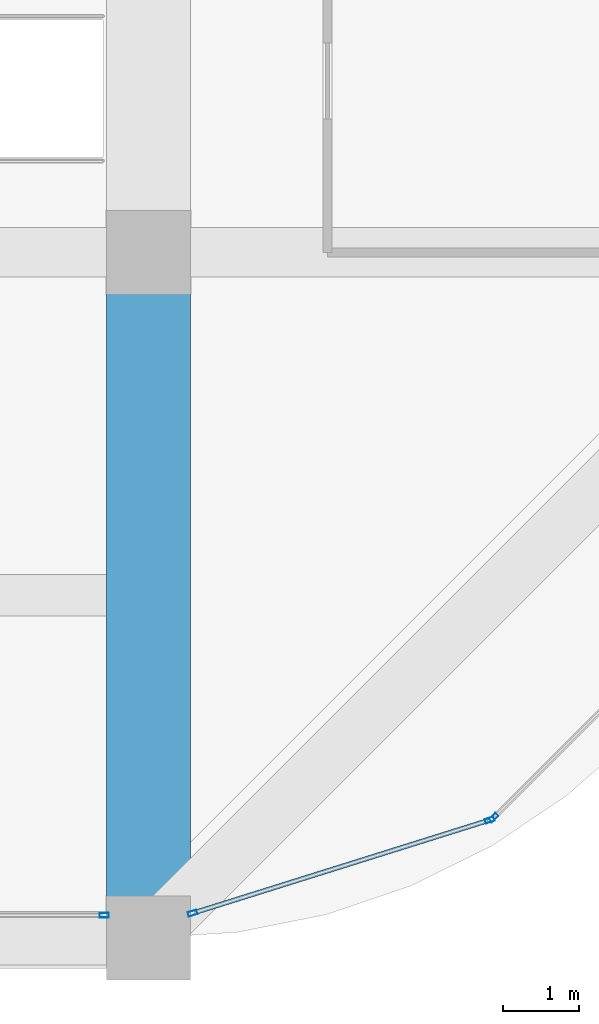
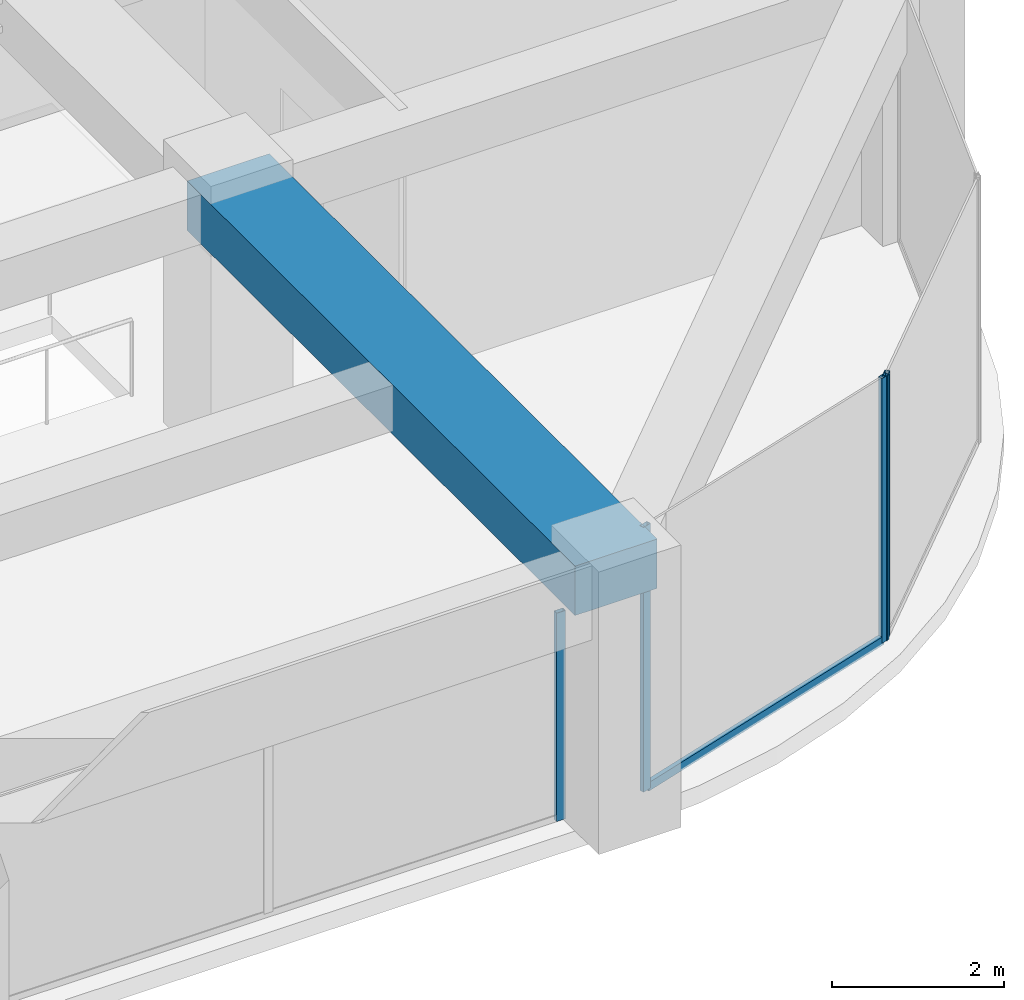
# One storey, part 18 of 44: 5 members, 1 beam, 3 elements without a shape of their own.
"""IFC4 building model written with IfcOpenShell, lengths in metres."""

import ifcopenshell
import ifcopenshell.guid

model = None  # the IFC model being written
_history = None  # IfcOwnerHistory: only IFC2X3 demands one
_inside = {}  # id of a spatial element -> (the spatial element, [elements in it])
_under = {}  # id of a project, library or spatial element -> (it, [spatial elements below it])
_declared = {}  # id of a project -> (the project, [libraries it declares])
_typed = {}  # id of a type object -> (the type object, [elements of that type])
_made_of = {}  # id of a material, layer set ... -> (it, [elements and type objects made of it])


def new_model(schema):
    """Start an empty IFC model of exactly this schema.

    Asked for "IFC4X3", IfcOpenShell would pick the latest addendum, in which some entities
    have other attributes; the version numbers below select the first issue.
    IFC2X3 requires an IfcOwnerHistory on every rooted entity: one is made here for all.
    """
    global model, _history
    if schema == "IFC4X3":
        model = ifcopenshell.file(schema_version=(4, 3, 0, 0))
    else:
        model = ifcopenshell.file(schema=schema)
    _inside.clear()
    _under.clear()
    _declared.clear()
    _typed.clear()
    _made_of.clear()
    _history = None
    if model.schema == "IFC2X3":
        org = make("IfcOrganization", Name="unknown")
        user = make(
            "IfcPersonAndOrganization",
            ThePerson=make("IfcPerson", FamilyName="unknown"),
            TheOrganization=org,
        )
        app = make(
            "IfcApplication",
            ApplicationDeveloper=org,
            Version="unknown",
            ApplicationFullName="unknown",
            ApplicationIdentifier="unknown",
        )
        _history = make(
            "IfcOwnerHistory",
            OwningUser=user,
            OwningApplication=app,
            ChangeAction="ADDED",
            CreationDate=0,
        )
    return model


def make(cls, **values):
    """One entity of the class cls with the attributes given. An attribute that is None is left unset."""
    return model.create_entity(
        cls, **{name: value for name, value in values.items() if value is not None}
    )


def rooted(cls, **values):
    """An entity with a GlobalId (a new one), such as an element, a storey or a relation."""
    return make(cls, GlobalId=ifcopenshell.guid.new(), OwnerHistory=_history, **values)


def si_unit(unit_type, name, prefix=None):
    """IfcSIUnit, for example si_unit("LENGTHUNIT", "METRE", prefix="MILLI")."""
    return make("IfcSIUnit", UnitType=unit_type, Prefix=prefix, Name=name)


def assignment(units):
    """IfcUnitAssignment: the units of a project."""
    return None if units is None else make("IfcUnitAssignment", Units=units)


def point(xyz):
    """IfcCartesianPoint."""
    return None if xyz is None else make("IfcCartesianPoint", Coordinates=xyz)


def direction(xyz):
    """IfcDirection."""
    return None if xyz is None else make("IfcDirection", DirectionRatios=xyz)


def frame(location, z_axis=None, x_axis=None):
    """IfcAxis2Placement3D, a coordinate frame: its origin and axes. An axis left out is left unset."""
    return make(
        "IfcAxis2Placement3D",
        Location=point(location),
        Axis=direction(z_axis),
        RefDirection=direction(x_axis),
    )


def frame_2d(location, x_axis=None):
    """IfcAxis2Placement2D, a coordinate frame in the plane: its origin and x axis."""
    return make(
        "IfcAxis2Placement2D", Location=point(location), RefDirection=direction(x_axis)
    )


def origin():
    """The frame at (0, 0, 0) with its axes left unset."""
    return frame((0.0, 0.0, 0.0))


def origin_2d():
    """The frame at (0, 0) in the plane with its x axis left unset."""
    return frame_2d((0.0, 0.0))


def place(relative_to, where):
    """IfcLocalPlacement: puts the frame where relative to a parent placement (None: the world)."""
    return make(
        "IfcLocalPlacement", PlacementRelTo=relative_to, RelativePlacement=where
    )


def context(
    kind, dimensions, precision=None, world=None, true_north=None, identifier=None
):
    """IfcGeometricRepresentationContext, for example the 3D "Model" context."""
    return make(
        "IfcGeometricRepresentationContext",
        ContextIdentifier=identifier,
        ContextType=kind,
        CoordinateSpaceDimension=dimensions,
        Precision=precision,
        WorldCoordinateSystem=world,
        TrueNorth=true_north,
    )


def subcontext(parent, identifier, kind, view, scale=None):
    """IfcGeometricRepresentationSubContext, for example "Body" below "Model"."""
    return make(
        "IfcGeometricRepresentationSubContext",
        ContextIdentifier=identifier,
        ContextType=kind,
        ParentContext=parent,
        TargetScale=scale,
        TargetView=view,
    )


def project(units=None, contexts=None):
    """IfcProject with its units and contexts."""
    return rooted(
        "IfcProject",
        Name="project",
        RepresentationContexts=contexts,
        UnitsInContext=assignment(units),
    )


def spatial(cls, under=None, at=None, **own):
    """A site, building, storey or space (cls), placed at a placement, below another one or the project."""
    s = rooted(cls, ObjectPlacement=at, **own)
    if under is not None:
        _under.setdefault(under.id(), (under, []))[1].append(s)
    return s


def profile(cls, at=None, kind="AREA", **sizes):
    """A parametric profile (cls). Its sizes go by their IFC names, for example OverallWidth=200.0."""
    return make(cls, ProfileType=kind, Position=at, **sizes)


def rectangle(**sizes):
    """IfcRectangleProfileDef."""
    return profile("IfcRectangleProfileDef", **sizes)


def hollow_rectangle(**sizes):
    """IfcRectangleHollowProfileDef."""
    return profile("IfcRectangleHollowProfileDef", **sizes)


def extrude(swept, where, along, depth):
    """IfcExtrudedAreaSolid: the profile swept, set in the frame where, extruded along a direction by depth."""
    return make(
        "IfcExtrudedAreaSolid",
        SweptArea=swept,
        Position=where,
        ExtrudedDirection=direction(along),
        Depth=depth,
    )


def shape(context_of_items, identifier, shape_type, items):
    """IfcShapeRepresentation: the items that make up one representation, for example the "Body"."""
    return make(
        "IfcShapeRepresentation",
        ContextOfItems=context_of_items,
        RepresentationIdentifier=identifier,
        RepresentationType=shape_type,
        Items=items,
    )


def material(Name=None, Category=None):
    """IfcMaterial."""
    return make("IfcMaterial", Name=Name, Category=Category)


def material_profile(
    of_material, cross_section, Name=None, Category=None, Priority=None
):
    """IfcMaterialProfile: a cross section and its material."""
    return make(
        "IfcMaterialProfile",
        Name=Name,
        Material=of_material,
        Profile=cross_section,
        Priority=Priority,
        Category=Category,
    )


def profile_set(profiles, Name=None, composite=None):
    """IfcMaterialProfileSet."""
    return make(
        "IfcMaterialProfileSet",
        Name=Name,
        MaterialProfiles=profiles,
        CompositeProfile=composite,
    )


def made_of(thing, what):
    """Note that an element or type object is made of a material, layer set ...; save() writes the relation."""
    if what is not None:
        _made_of.setdefault(what.id(), (what, []))[1].append(thing)
    return thing


def type_object(cls, material=None, **own):
    """A type object (cls), such as IfcWallType, which elements share."""
    return made_of(rooted(cls, **own), material)


def element(
    cls,
    number,
    at=None,
    inside=None,
    cuts=None,
    type_object=None,
    material=None,
    context=None,
    identifier="Body",
    shape_type=None,
    held_by="IfcProductDefinitionShape",
    body=None,
    shapes=None,
    **own,
):
    """One element of the class cls, such as IfcWall. Its Tag is "e" and its number.

    at: its placement. inside: the storey or other place that contains it. cuts: it is an
    opening in that element (IfcRelVoidsElement). A single representation is given by context,
    identifier, shape_type and body (its items); several are given by shapes. held_by: the class
    of the entity that holds the representations. save() writes the other relations.
    """
    e = rooted(cls, Tag="e%d" % number, ObjectPlacement=at, **own)
    if body is not None:
        shapes = [shape(context, identifier, shape_type, body)]
    if shapes is not None:
        e.Representation = make(held_by, Representations=shapes)
    if inside is not None:
        _inside.setdefault(inside.id(), (inside, []))[1].append(e)
    if cuts is not None:
        rooted(
            "IfcRelVoidsElement", RelatingBuildingElement=cuts, RelatedOpeningElement=e
        )
    if type_object is not None:
        _typed.setdefault(type_object.id(), (type_object, []))[1].append(e)
    return made_of(e, material)


def aggregate(whole, parts):
    """IfcRelAggregates: a whole, such as a stair, and the parts it consists of."""
    return rooted("IfcRelAggregates", RelatingObject=whole, RelatedObjects=parts)


def save(model, path):
    """Write the relations noted so far, then the file.

    IfcRelAggregates (storeys below a building ...), IfcRelContainedInSpatialStructure (elements
    in a storey), IfcRelDefinesByType, IfcRelAssociatesMaterial and IfcRelDeclares: one each for
    every whole, place, type object, material and project.
    """
    for whole, parts in _under.values():
        aggregate(whole, parts)
    for where, things in _inside.values():
        rooted(
            "IfcRelContainedInSpatialStructure",
            RelatedElements=things,
            RelatingStructure=where,
        )
    for kind, things in _typed.values():
        rooted("IfcRelDefinesByType", RelatedObjects=things, RelatingType=kind)
    for what, things in _made_of.values():
        rooted("IfcRelAssociatesMaterial", RelatedObjects=things, RelatingMaterial=what)
    for by, libraries in _declared.values():
        rooted("IfcRelDeclares", RelatingContext=by, RelatedDefinitions=libraries)
    model.write(path)


model = new_model("IFC4")

# Units and contexts
model_context = context("Model", 3, precision=1e-05, world=origin(), true_north=direction((0.0, 1.0)))
body_context = subcontext(model_context, "Body", "Model", "MODEL_VIEW")
ifc_project = project(units=[si_unit("LENGTHUNIT", "METRE"), si_unit("AREAUNIT", "SQUARE_METRE"), si_unit("VOLUMEUNIT", "CUBIC_METRE"), si_unit("PLANEANGLEUNIT", "RADIAN"), si_unit("MASSUNIT", "GRAM", prefix="KILO")], contexts=[model_context])

# Site, building, storey
site_placement = place(None, origin())
site = spatial("IfcSite", under=ifc_project, at=site_placement, CompositionType="ELEMENT")
building_placement = place(site_placement, origin())
building = spatial("IfcBuilding", under=site, at=building_placement, Name="Zorevar Civic Tower", CompositionType="ELEMENT")
storey_placement = place(building_placement, frame((0.0, 0.0, 255.39990234375)))
storey = spatial("IfcBuildingStorey", under=building, at=storey_placement, Name="L62", CompositionType="ELEMENT", Elevation=255.39990234375)

# Beam
ifc_material_1 = material(Name="Concrete C50/60", Category="concrete")
ifc_material_profile_1 = material_profile(ifc_material_1, rectangle(XDim=1.10009765625, YDim=0.699951171875, at=origin_2d()), Name="RC 1100x700")
ifc_profile_set_1 = profile_set([ifc_material_profile_1], Name="Concrete C50/60")
beam_type = type_object("IfcBeamType", Name="Beam RC 1100x700", PredefinedType="BEAM", material=ifc_profile_set_1)
beam_placement = place(storey_placement, frame((45.0, 0.0, 3.400146484375), z_axis=(0.0, 1.0, 0.0), x_axis=(-1.0, 0.0, 0.0)))
element("IfcBeam", 1, at=beam_placement, inside=storey, type_object=beam_type, Name="Girder L63", PredefinedType="BEAM", context=body_context, shape_type="SweptSolid", body=[
    extrude(rectangle(XDim=1.10009765625, YDim=0.699951171875, at=origin_2d()), origin(), (0.0, 0.0, 1.0), 9.0),
])

# Curtain wall, member
ifc_material_2 = material(Name="Dark grey solar-control glass in black aluminium frame", Category="aluminium")
curtain_wall_type = type_object("IfcCurtainWallType", Name="Curtain wall CW5 top zone", PredefinedType="NOTDEFINED", material=ifc_material_2)
curtain_wall_1_placement = place(storey_placement, origin())
curtain_wall_1 = element("IfcCurtainWall", 2, at=curtain_wall_1_placement, inside=storey, type_object=curtain_wall_type, Name="CW5 L62", PredefinedType="NOTDEFINED")
ifc_material_3 = material(Name="Aluminium, black anodised", Category="aluminium")
ifc_material_profile_2 = material_profile(ifc_material_3, hollow_rectangle(XDim=0.06005859375, YDim=0.1201171875, WallThickness=0.0029296875, at=origin_2d()), Name="AL 120x60x3")
ifc_profile_set_2 = profile_set([ifc_material_profile_2], Name="Aluminium, black anodised")
member_type_1 = type_object("IfcMemberType", Name="CW5 mullion AL 120x60x3", PredefinedType="MULLION", material=ifc_profile_set_2)
member_1_placement = place(storey_placement, frame((44.419921875, 0.300048828125, 0.0), z_axis=(0.0, 0.0, 1.0), x_axis=(0.0, 1.0, 0.0)))
member_1 = element("IfcMember", 3, at=member_1_placement, type_object=member_type_1, Name="CW5 mullion 3", PredefinedType="MULLION", context=body_context, shape_type="SweptSolid", body=[
    extrude(hollow_rectangle(XDim=0.06005859375, YDim=0.1201171875, WallThickness=0.0029296875, at=origin_2d()), origin(), (0.0, 0.0, 1.0), 2.9501953125),
])
aggregate(curtain_wall_1, [member_1])

# Curtain wall, members
curtain_wall_2_placement = place(storey_placement, origin())
curtain_wall_2 = element("IfcCurtainWall", 4, at=curtain_wall_2_placement, inside=storey, type_object=curtain_wall_type, Name="CW5 L62", PredefinedType="NOTDEFINED")
member_2_placement = place(storey_placement, frame((45.57861328125, 0.326416015625, 0.0), z_axis=(0.0, 0.0, 1.0), x_axis=(-0.299317920238, 0.954153437674, 0.0)))
member_2 = element("IfcMember", 5, at=member_2_placement, type_object=member_type_1, Name="CW5 mullion 1", PredefinedType="MULLION", context=body_context, shape_type="SweptSolid", body=[
    extrude(hollow_rectangle(XDim=0.06005859375, YDim=0.1201171875, WallThickness=0.0029296875, at=origin_2d()), origin(), (0.0, 0.0, 1.0), 3.75),
])
member_3_placement = place(storey_placement, frame((49.479248046875, 1.550048828125, 0.0), z_axis=(0.0, 0.0, 1.0), x_axis=(-0.299317920238, 0.954153437674, 0.0)))
member_3 = element("IfcMember", 6, at=member_3_placement, type_object=member_type_1, Name="CW5 mullion 2", PredefinedType="MULLION", context=body_context, shape_type="SweptSolid", body=[
    extrude(hollow_rectangle(XDim=0.06005859375, YDim=0.1201171875, WallThickness=0.0029296875, at=origin_2d()), origin(), (0.0, 0.0, 1.0), 3.75),
])

# Curtain wall, member
curtain_wall_3_placement = place(storey_placement, origin())
curtain_wall_3 = element("IfcCurtainWall", 7, at=curtain_wall_3_placement, inside=storey, type_object=curtain_wall_type, Name="CW5 L62", PredefinedType="NOTDEFINED")
member_4_placement = place(storey_placement, frame((49.529052734375, 1.580322265625, 0.0), z_axis=(0.0, 0.0, 1.0), x_axis=(-0.707106781187, 0.707106781187, 0.0)))
member_4 = element("IfcMember", 8, at=member_4_placement, type_object=member_type_1, Name="CW5 mullion 1", PredefinedType="MULLION", context=body_context, shape_type="SweptSolid", body=[
    extrude(hollow_rectangle(XDim=0.06005859375, YDim=0.1201171875, WallThickness=0.0029296875, at=origin_2d()), origin(), (0.0, 0.0, 1.0), 3.75),
])
aggregate(curtain_wall_3, [member_4])

# Member
ifc_material_4 = material(Name="Aluminium, black anodised", Category="aluminium")
ifc_material_profile_3 = material_profile(ifc_material_4, hollow_rectangle(XDim=0.06005859375, YDim=0.1201171875, WallThickness=0.0029296875, at=origin_2d()), Name="AL 120x60x3")
ifc_profile_set_3 = profile_set([ifc_material_profile_3], Name="Aluminium, black anodised")
member_type_2 = type_object("IfcMemberType", Name="CW5 transom AL 120x60x3", PredefinedType="USERDEFINED", material=ifc_profile_set_3)
member_5_placement = place(storey_placement, frame((45.607177734375, 0.33544921875, 0.030029296875), z_axis=(0.954163457351, 0.299285978047, 0.0), x_axis=(-0.299285978047, 0.954163457351, 0.0)))
member_5 = element("IfcMember", 9, at=member_5_placement, type_object=member_type_2, Name="CW5 sill transom", ObjectType="TRANSOM", PredefinedType="USERDEFINED", context=body_context, shape_type="SweptSolid", body=[
    extrude(hollow_rectangle(XDim=0.06005859375, YDim=0.1201171875, WallThickness=0.0029296875, at=origin_2d()), origin(), (0.0, 0.0, 1.0), 4.028076171875),
])

aggregate(curtain_wall_2, [member_2, member_3, member_5])

save(model, "model.ifc")
